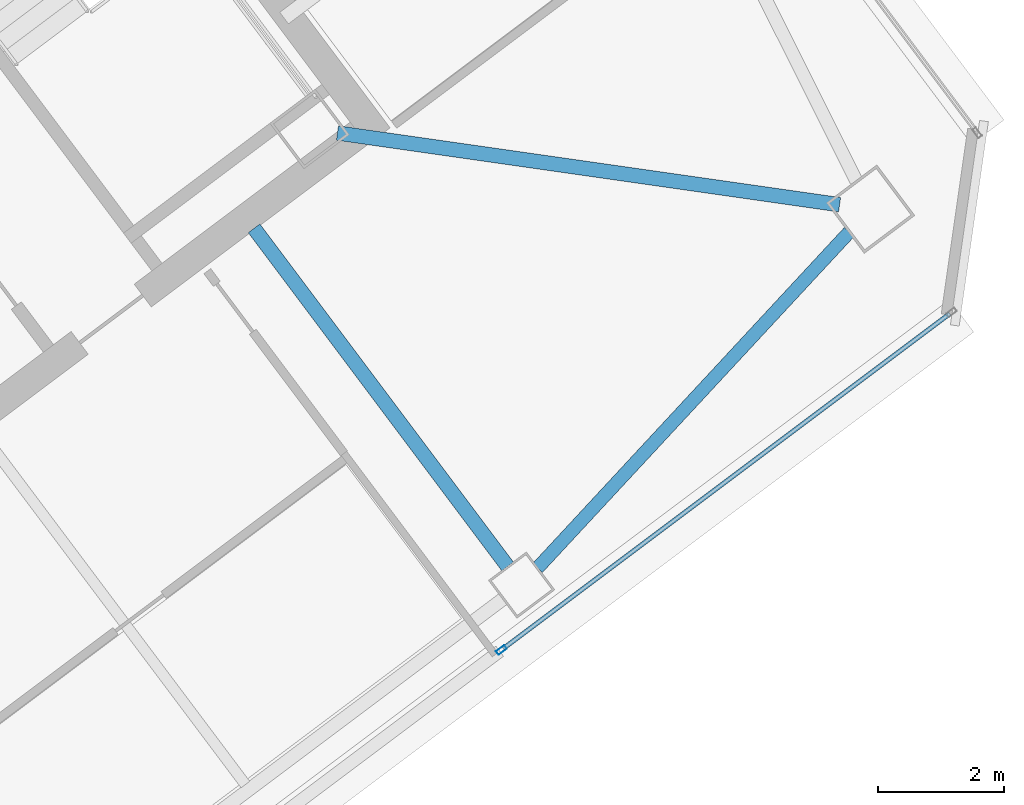
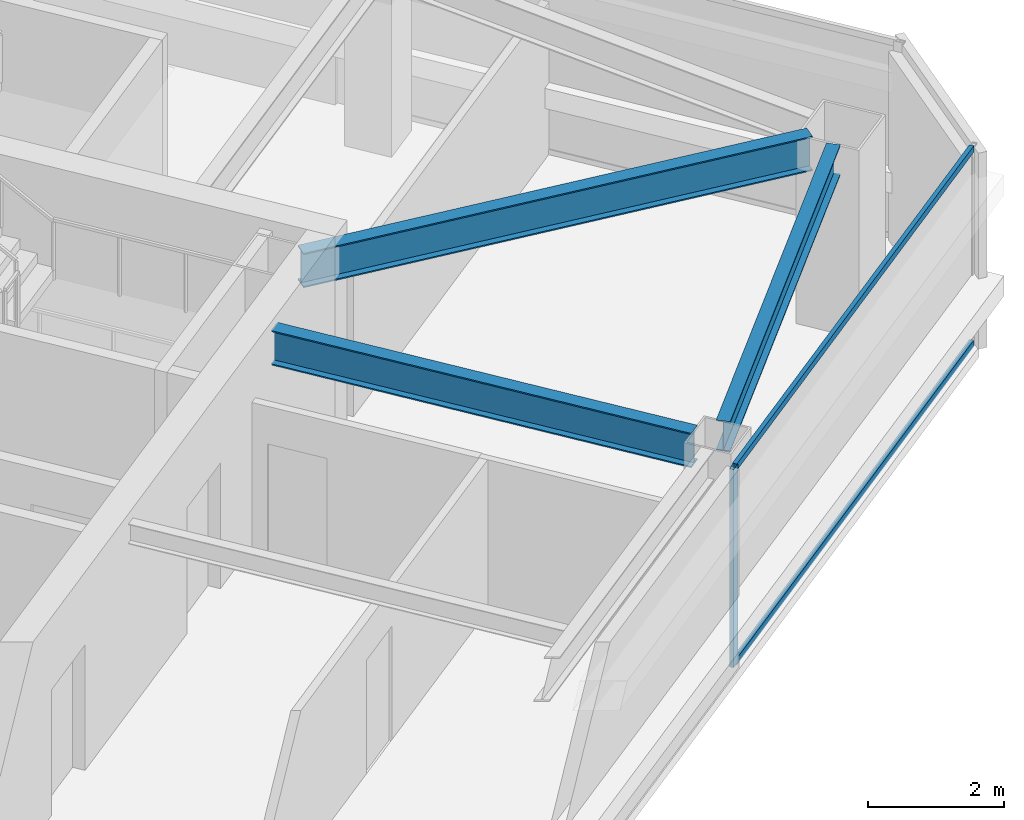
# One storey, part 23 of 39: 3 beams, 3 members, 1 element without a shape of its own.
"""IFC4 building model written with IfcOpenShell, lengths in metres."""

import ifcopenshell
import ifcopenshell.guid

model = None  # the IFC model being written
_history = None  # IfcOwnerHistory: only IFC2X3 demands one
_inside = {}  # id of a spatial element -> (the spatial element, [elements in it])
_under = {}  # id of a project, library or spatial element -> (it, [spatial elements below it])
_declared = {}  # id of a project -> (the project, [libraries it declares])
_typed = {}  # id of a type object -> (the type object, [elements of that type])
_made_of = {}  # id of a material, layer set ... -> (it, [elements and type objects made of it])


def new_model(schema):
    """Start an empty IFC model of exactly this schema.

    Asked for "IFC4X3", IfcOpenShell would pick the latest addendum, in which some entities
    have other attributes; the version numbers below select the first issue.
    IFC2X3 requires an IfcOwnerHistory on every rooted entity: one is made here for all.
    """
    global model, _history
    if schema == "IFC4X3":
        model = ifcopenshell.file(schema_version=(4, 3, 0, 0))
    else:
        model = ifcopenshell.file(schema=schema)
    _inside.clear()
    _under.clear()
    _declared.clear()
    _typed.clear()
    _made_of.clear()
    _history = None
    if model.schema == "IFC2X3":
        org = make("IfcOrganization", Name="unknown")
        user = make(
            "IfcPersonAndOrganization",
            ThePerson=make("IfcPerson", FamilyName="unknown"),
            TheOrganization=org,
        )
        app = make(
            "IfcApplication",
            ApplicationDeveloper=org,
            Version="unknown",
            ApplicationFullName="unknown",
            ApplicationIdentifier="unknown",
        )
        _history = make(
            "IfcOwnerHistory",
            OwningUser=user,
            OwningApplication=app,
            ChangeAction="ADDED",
            CreationDate=0,
        )
    return model


def make(cls, **values):
    """One entity of the class cls with the attributes given. An attribute that is None is left unset."""
    return model.create_entity(
        cls, **{name: value for name, value in values.items() if value is not None}
    )


def rooted(cls, **values):
    """An entity with a GlobalId (a new one), such as an element, a storey or a relation."""
    return make(cls, GlobalId=ifcopenshell.guid.new(), OwnerHistory=_history, **values)


def si_unit(unit_type, name, prefix=None):
    """IfcSIUnit, for example si_unit("LENGTHUNIT", "METRE", prefix="MILLI")."""
    return make("IfcSIUnit", UnitType=unit_type, Prefix=prefix, Name=name)


def assignment(units):
    """IfcUnitAssignment: the units of a project."""
    return None if units is None else make("IfcUnitAssignment", Units=units)


def point(xyz):
    """IfcCartesianPoint."""
    return None if xyz is None else make("IfcCartesianPoint", Coordinates=xyz)


def direction(xyz):
    """IfcDirection."""
    return None if xyz is None else make("IfcDirection", DirectionRatios=xyz)


def frame(location, z_axis=None, x_axis=None):
    """IfcAxis2Placement3D, a coordinate frame: its origin and axes. An axis left out is left unset."""
    return make(
        "IfcAxis2Placement3D",
        Location=point(location),
        Axis=direction(z_axis),
        RefDirection=direction(x_axis),
    )


def frame_2d(location, x_axis=None):
    """IfcAxis2Placement2D, a coordinate frame in the plane: its origin and x axis."""
    return make(
        "IfcAxis2Placement2D", Location=point(location), RefDirection=direction(x_axis)
    )


def origin():
    """The frame at (0, 0, 0) with its axes left unset."""
    return frame((0.0, 0.0, 0.0))


def origin_2d():
    """The frame at (0, 0) in the plane with its x axis left unset."""
    return frame_2d((0.0, 0.0))


def place(relative_to, where):
    """IfcLocalPlacement: puts the frame where relative to a parent placement (None: the world)."""
    return make(
        "IfcLocalPlacement", PlacementRelTo=relative_to, RelativePlacement=where
    )


def context(
    kind, dimensions, precision=None, world=None, true_north=None, identifier=None
):
    """IfcGeometricRepresentationContext, for example the 3D "Model" context."""
    return make(
        "IfcGeometricRepresentationContext",
        ContextIdentifier=identifier,
        ContextType=kind,
        CoordinateSpaceDimension=dimensions,
        Precision=precision,
        WorldCoordinateSystem=world,
        TrueNorth=true_north,
    )


def subcontext(parent, identifier, kind, view, scale=None):
    """IfcGeometricRepresentationSubContext, for example "Body" below "Model"."""
    return make(
        "IfcGeometricRepresentationSubContext",
        ContextIdentifier=identifier,
        ContextType=kind,
        ParentContext=parent,
        TargetScale=scale,
        TargetView=view,
    )


def project(units=None, contexts=None):
    """IfcProject with its units and contexts."""
    return rooted(
        "IfcProject",
        Name="project",
        RepresentationContexts=contexts,
        UnitsInContext=assignment(units),
    )


def spatial(cls, under=None, at=None, **own):
    """A site, building, storey or space (cls), placed at a placement, below another one or the project."""
    s = rooted(cls, ObjectPlacement=at, **own)
    if under is not None:
        _under.setdefault(under.id(), (under, []))[1].append(s)
    return s


def profile(cls, at=None, kind="AREA", **sizes):
    """A parametric profile (cls). Its sizes go by their IFC names, for example OverallWidth=200.0."""
    return make(cls, ProfileType=kind, Position=at, **sizes)


def hollow_rectangle(**sizes):
    """IfcRectangleHollowProfileDef."""
    return profile("IfcRectangleHollowProfileDef", **sizes)


def i_section(**sizes):
    """IfcIShapeProfileDef."""
    return profile("IfcIShapeProfileDef", **sizes)


def extrude(swept, where, along, depth):
    """IfcExtrudedAreaSolid: the profile swept, set in the frame where, extruded along a direction by depth."""
    return make(
        "IfcExtrudedAreaSolid",
        SweptArea=swept,
        Position=where,
        ExtrudedDirection=direction(along),
        Depth=depth,
    )


def shape(context_of_items, identifier, shape_type, items):
    """IfcShapeRepresentation: the items that make up one representation, for example the "Body"."""
    return make(
        "IfcShapeRepresentation",
        ContextOfItems=context_of_items,
        RepresentationIdentifier=identifier,
        RepresentationType=shape_type,
        Items=items,
    )


def material(Name=None, Category=None):
    """IfcMaterial."""
    return make("IfcMaterial", Name=Name, Category=Category)


def material_profile(
    of_material, cross_section, Name=None, Category=None, Priority=None
):
    """IfcMaterialProfile: a cross section and its material."""
    return make(
        "IfcMaterialProfile",
        Name=Name,
        Material=of_material,
        Profile=cross_section,
        Priority=Priority,
        Category=Category,
    )


def profile_set(profiles, Name=None, composite=None):
    """IfcMaterialProfileSet."""
    return make(
        "IfcMaterialProfileSet",
        Name=Name,
        MaterialProfiles=profiles,
        CompositeProfile=composite,
    )


def made_of(thing, what):
    """Note that an element or type object is made of a material, layer set ...; save() writes the relation."""
    if what is not None:
        _made_of.setdefault(what.id(), (what, []))[1].append(thing)
    return thing


def type_object(cls, material=None, **own):
    """A type object (cls), such as IfcWallType, which elements share."""
    return made_of(rooted(cls, **own), material)


def element(
    cls,
    number,
    at=None,
    inside=None,
    cuts=None,
    type_object=None,
    material=None,
    context=None,
    identifier="Body",
    shape_type=None,
    held_by="IfcProductDefinitionShape",
    body=None,
    shapes=None,
    **own,
):
    """One element of the class cls, such as IfcWall. Its Tag is "e" and its number.

    at: its placement. inside: the storey or other place that contains it. cuts: it is an
    opening in that element (IfcRelVoidsElement). A single representation is given by context,
    identifier, shape_type and body (its items); several are given by shapes. held_by: the class
    of the entity that holds the representations. save() writes the other relations.
    """
    e = rooted(cls, Tag="e%d" % number, ObjectPlacement=at, **own)
    if body is not None:
        shapes = [shape(context, identifier, shape_type, body)]
    if shapes is not None:
        e.Representation = make(held_by, Representations=shapes)
    if inside is not None:
        _inside.setdefault(inside.id(), (inside, []))[1].append(e)
    if cuts is not None:
        rooted(
            "IfcRelVoidsElement", RelatingBuildingElement=cuts, RelatedOpeningElement=e
        )
    if type_object is not None:
        _typed.setdefault(type_object.id(), (type_object, []))[1].append(e)
    return made_of(e, material)


def aggregate(whole, parts):
    """IfcRelAggregates: a whole, such as a stair, and the parts it consists of."""
    return rooted("IfcRelAggregates", RelatingObject=whole, RelatedObjects=parts)


def save(model, path):
    """Write the relations noted so far, then the file.

    IfcRelAggregates (storeys below a building ...), IfcRelContainedInSpatialStructure (elements
    in a storey), IfcRelDefinesByType, IfcRelAssociatesMaterial and IfcRelDeclares: one each for
    every whole, place, type object, material and project.
    """
    for whole, parts in _under.values():
        aggregate(whole, parts)
    for where, things in _inside.values():
        rooted(
            "IfcRelContainedInSpatialStructure",
            RelatedElements=things,
            RelatingStructure=where,
        )
    for kind, things in _typed.values():
        rooted("IfcRelDefinesByType", RelatedObjects=things, RelatingType=kind)
    for what, things in _made_of.values():
        rooted("IfcRelAssociatesMaterial", RelatedObjects=things, RelatingMaterial=what)
    for by, libraries in _declared.values():
        rooted("IfcRelDeclares", RelatingContext=by, RelatedDefinitions=libraries)
    model.write(path)


model = new_model("IFC4")

# Units and contexts
model_context = context("Model", 3, precision=1e-05, world=origin(), true_north=direction((0.0, 1.0)))
body_context = subcontext(model_context, "Body", "Model", "MODEL_VIEW")
ifc_project = project(units=[si_unit("LENGTHUNIT", "METRE"), si_unit("AREAUNIT", "SQUARE_METRE"), si_unit("VOLUMEUNIT", "CUBIC_METRE"), si_unit("PLANEANGLEUNIT", "RADIAN"), si_unit("MASSUNIT", "GRAM", prefix="KILO")], contexts=[model_context])

# Site, building, storey
site_placement = place(None, origin())
site = spatial("IfcSite", under=ifc_project, at=site_placement, CompositionType="ELEMENT")
building_placement = place(site_placement, origin())
building = spatial("IfcBuilding", under=site, at=building_placement, Name="Tashvorn Skyway Center", CompositionType="ELEMENT")
storey_placement = place(building_placement, frame((0.0, 0.0, 207.75)))
storey = spatial("IfcBuildingStorey", under=building, at=storey_placement, Name="L56", CompositionType="ELEMENT", Elevation=207.75)

# Beams
ifc_material_1 = material(Name="Steel ASTM A992 Grade 50", Category="steel")
ifc_material_profile_1 = material_profile(ifc_material_1, i_section(OverallWidth=0.22998046875, OverallDepth=0.616943359375, WebThickness=0.01318359375, FlangeThickness=0.022216796875, at=origin_2d()), Name="W24X94")
ifc_profile_set_1 = profile_set([ifc_material_profile_1], Name="Steel ASTM A992 Grade 50")
beam_type_1 = type_object("IfcBeamType", Name="BM-BEAM-W24X94", PredefinedType="BEAM", material=ifc_profile_set_1)
beam_1_placement = place(storey_placement, frame((132.27001953125, 29.389892578125, 3.0615234375), z_axis=(-0.989947064346, 0.141438360399, 0.0), x_axis=(-0.141438360399, -0.989947064346, 0.0)))
element("IfcBeam", 1, at=beam_1_placement, inside=storey, type_object=beam_type_1, Name="Tower 2 L56 Primary Floor Girder MC-SE", PredefinedType="BEAM", context=body_context, shape_type="SweptSolid", body=[
    extrude(i_section(OverallWidth=0.22998046875, OverallDepth=0.616943359375, WebThickness=0.01318359375, FlangeThickness=0.022216796875, at=origin_2d()), origin(), (0.0, 0.0, 1.0), 8.040283203125),
])
beam_2_placement = place(storey_placement, frame((127.008056640625, 23.656005859375, 3.0615234375), z_axis=(-0.599994169845, 0.800004372583, 0.0), x_axis=(-0.800004372583, -0.599994169845, 0.0)))
element("IfcBeam", 2, at=beam_2_placement, inside=storey, type_object=beam_type_1, Name="Tower 2 L56 Primary Floor Girder FC-S2", PredefinedType="BEAM", context=body_context, shape_type="SweptSolid", body=[
    extrude(i_section(OverallWidth=0.22998046875, OverallDepth=0.616943359375, WebThickness=0.01318359375, FlangeThickness=0.022216796875, at=origin_2d()), origin(), (0.0, 0.0, 1.0), 6.7001953125),
])
ifc_material_profile_2 = material_profile(ifc_material_1, i_section(OverallWidth=0.2109375, OverallDepth=0.5390625, WebThickness=0.01171875, FlangeThickness=0.018798828125, at=origin_2d()), Name="W21X73")
ifc_profile_set_2 = profile_set([ifc_material_profile_2], Name="Steel ASTM A992 Grade 50")
beam_type_2 = type_object("IfcBeamType", Name="BM-SPANDREL-W21X73", PredefinedType="SPANDREL", material=ifc_profile_set_2)
beam_3_placement = place(storey_placement, frame((127.481689453125, 23.63134765625, 3.1005859375), z_axis=(0.680182956622, 0.733042389989, 0.0), x_axis=(-0.733042389989, 0.680182956622, 0.0)))
element("IfcBeam", 3, at=beam_3_placement, inside=storey, type_object=beam_type_2, Name="Tower 2 L56 Spandrel Beam 03", PredefinedType="SPANDREL", context=body_context, shape_type="SweptSolid", body=[
    extrude(i_section(OverallWidth=0.2109375, OverallDepth=0.5390625, WebThickness=0.01171875, FlangeThickness=0.018798828125, at=origin_2d()), origin(), (0.0, 0.0, 1.0), 7.26513671875),
])

# Curtain wall, members
ifc_material_2 = material(Name="Thermally broken bronze-anodized aluminium 6063-T6", Category="aluminium")
curtain_wall_type = type_object("IfcCurtainWallType", Name="CW-CW-Z5", PredefinedType="NOTDEFINED", material=ifc_material_2)
curtain_wall_placement = place(storey_placement, origin())
curtain_wall = element("IfcCurtainWall", 4, at=curtain_wall_placement, inside=storey, type_object=curtain_wall_type, Name="Tower 2 L56 South Unitised Curtain Wall Glazing Group 1", PredefinedType="NOTDEFINED")
ifc_material_profile_3 = material_profile(ifc_material_2, hollow_rectangle(XDim=0.070068359375, YDim=0.1650390625, WallThickness=0.00390625, at=origin_2d()), Name="ALU-MULL-70x165")
ifc_profile_set_3 = profile_set([ifc_material_profile_3], Name="Thermally broken bronze-anodized aluminium 6063-T6")
member_type_1 = type_object("IfcMemberType", Name="CWM-CW-Z5", PredefinedType="MULLION", material=ifc_profile_set_3)
member_1_placement = place(storey_placement, frame((126.91064453125, 22.3330078125, 0.0), z_axis=(0.0, 0.0, 1.0), x_axis=(0.600001780418, -0.799998664683, 0.0)))
member_1 = element("IfcMember", 5, at=member_1_placement, type_object=member_type_1, Name="CW-Z5 mullion 2", PredefinedType="MULLION", context=body_context, shape_type="SweptSolid", body=[
    extrude(hollow_rectangle(XDim=0.070068359375, YDim=0.1650390625, WallThickness=0.00390625, at=origin_2d()), origin(), (0.0, 0.0, 1.0), 3.550048828125),
])
ifc_material_profile_4 = material_profile(ifc_material_2, hollow_rectangle(XDim=0.070068359375, YDim=0.114990234375, WallThickness=0.00390625, at=origin_2d()), Name="ALU-TRAN-70x115")
ifc_profile_set_4 = profile_set([ifc_material_profile_4], Name="Thermally broken bronze-anodized aluminium 6063-T6")
member_type_2 = type_object("IfcMemberType", Name="CWT-CW-Z5", PredefinedType="USERDEFINED", material=ifc_profile_set_4)
member_2_placement = place(storey_placement, frame((134.01611328125, 27.662109375, 0.034912109375), z_axis=(-0.799996688401, -0.600004415441, 0.0), x_axis=(0.600004415441, -0.799996688401, 0.0)))
member_2 = element("IfcMember", 6, at=member_2_placement, type_object=member_type_2, Name="CW-Z5 transom 1.1", ObjectType="TRANSOM", PredefinedType="USERDEFINED", context=body_context, shape_type="SweptSolid", body=[
    extrude(hollow_rectangle(XDim=0.070068359375, YDim=0.114990234375, WallThickness=0.00390625, at=origin_2d()), origin(), (0.0, 0.0, 1.0), 8.8466796875),
])
member_3_placement = place(storey_placement, frame((134.01611328125, 27.662109375, 3.514892578125), z_axis=(-0.799996688401, -0.600004415441, 0.0), x_axis=(0.600004415441, -0.799996688401, 0.0)))
member_3 = element("IfcMember", 7, at=member_3_placement, type_object=member_type_2, Name="CW-Z5 transom 1.2", ObjectType="TRANSOM", PredefinedType="USERDEFINED", context=body_context, shape_type="SweptSolid", body=[
    extrude(hollow_rectangle(XDim=0.070068359375, YDim=0.114990234375, WallThickness=0.00390625, at=origin_2d()), origin(), (0.0, 0.0, 1.0), 8.8466796875),
])
aggregate(curtain_wall, [member_1, member_2, member_3])

save(model, "model.ifc")
